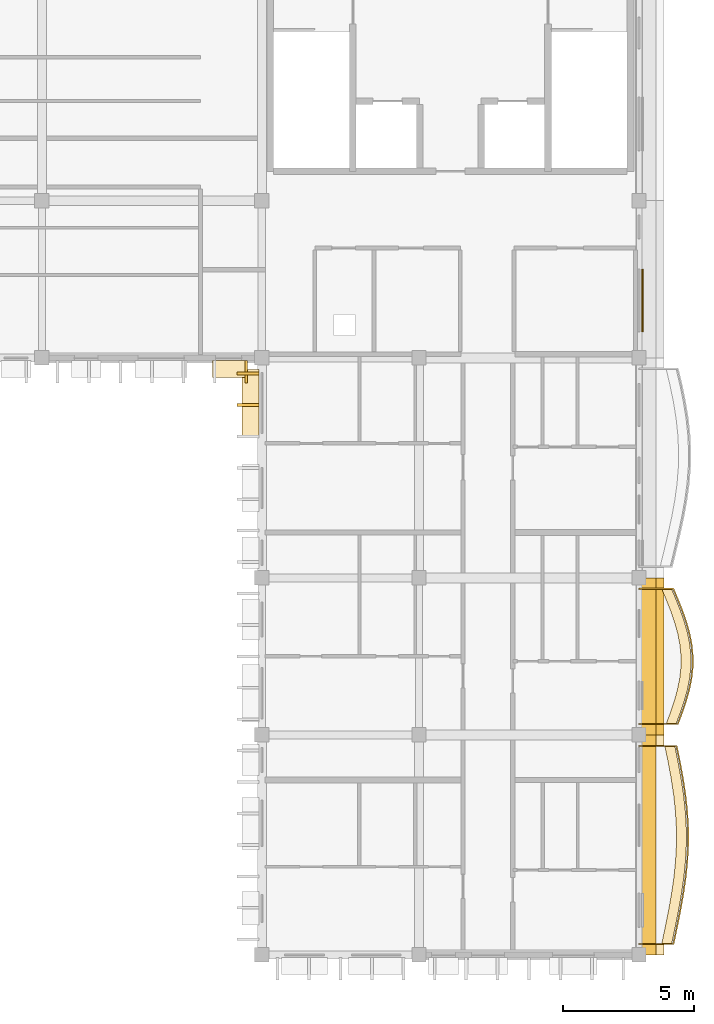
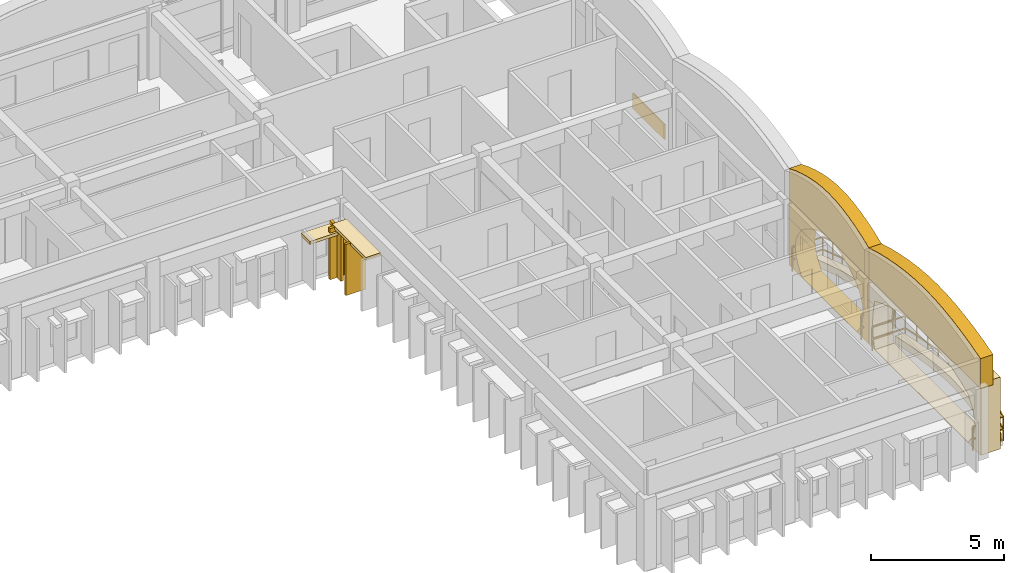
# One storey, part 26 of 28: 12 coverings, 2 railings.
"""IFC4 building model written with IfcOpenShell, lengths in metres."""

import ifcopenshell
import ifcopenshell.guid

model = None  # the IFC model being written
_history = None  # IfcOwnerHistory: only IFC2X3 demands one
_inside = {}  # id of a spatial element -> (the spatial element, [elements in it])
_under = {}  # id of a project, library or spatial element -> (it, [spatial elements below it])
_declared = {}  # id of a project -> (the project, [libraries it declares])
_typed = {}  # id of a type object -> (the type object, [elements of that type])
_made_of = {}  # id of a material, layer set ... -> (it, [elements and type objects made of it])


def new_model(schema):
    """Start an empty IFC model of exactly this schema.

    Asked for "IFC4X3", IfcOpenShell would pick the latest addendum, in which some entities
    have other attributes; the version numbers below select the first issue.
    IFC2X3 requires an IfcOwnerHistory on every rooted entity: one is made here for all.
    """
    global model, _history
    if schema == "IFC4X3":
        model = ifcopenshell.file(schema_version=(4, 3, 0, 0))
    else:
        model = ifcopenshell.file(schema=schema)
    _inside.clear()
    _under.clear()
    _declared.clear()
    _typed.clear()
    _made_of.clear()
    _history = None
    if model.schema == "IFC2X3":
        org = make("IfcOrganization", Name="unknown")
        user = make(
            "IfcPersonAndOrganization",
            ThePerson=make("IfcPerson", FamilyName="unknown"),
            TheOrganization=org,
        )
        app = make(
            "IfcApplication",
            ApplicationDeveloper=org,
            Version="unknown",
            ApplicationFullName="unknown",
            ApplicationIdentifier="unknown",
        )
        _history = make(
            "IfcOwnerHistory",
            OwningUser=user,
            OwningApplication=app,
            ChangeAction="ADDED",
            CreationDate=0,
        )
    return model


def make(cls, **values):
    """One entity of the class cls with the attributes given. An attribute that is None is left unset."""
    return model.create_entity(
        cls, **{name: value for name, value in values.items() if value is not None}
    )


def rooted(cls, **values):
    """An entity with a GlobalId (a new one), such as an element, a storey or a relation."""
    return make(cls, GlobalId=ifcopenshell.guid.new(), OwnerHistory=_history, **values)


def si_unit(unit_type, name, prefix=None):
    """IfcSIUnit, for example si_unit("LENGTHUNIT", "METRE", prefix="MILLI")."""
    return make("IfcSIUnit", UnitType=unit_type, Prefix=prefix, Name=name)


def assignment(units):
    """IfcUnitAssignment: the units of a project."""
    return None if units is None else make("IfcUnitAssignment", Units=units)


def point(xyz):
    """IfcCartesianPoint."""
    return None if xyz is None else make("IfcCartesianPoint", Coordinates=xyz)


def direction(xyz):
    """IfcDirection."""
    return None if xyz is None else make("IfcDirection", DirectionRatios=xyz)


def frame(location, z_axis=None, x_axis=None):
    """IfcAxis2Placement3D, a coordinate frame: its origin and axes. An axis left out is left unset."""
    return make(
        "IfcAxis2Placement3D",
        Location=point(location),
        Axis=direction(z_axis),
        RefDirection=direction(x_axis),
    )


def frame_2d(location, x_axis=None):
    """IfcAxis2Placement2D, a coordinate frame in the plane: its origin and x axis."""
    return make(
        "IfcAxis2Placement2D", Location=point(location), RefDirection=direction(x_axis)
    )


def origin():
    """The frame at (0, 0, 0) with its axes left unset."""
    return frame((0.0, 0.0, 0.0))


def origin_2d():
    """The frame at (0, 0) in the plane with its x axis left unset."""
    return frame_2d((0.0, 0.0))


def place(relative_to, where):
    """IfcLocalPlacement: puts the frame where relative to a parent placement (None: the world)."""
    return make(
        "IfcLocalPlacement", PlacementRelTo=relative_to, RelativePlacement=where
    )


def context(
    kind, dimensions, precision=None, world=None, true_north=None, identifier=None
):
    """IfcGeometricRepresentationContext, for example the 3D "Model" context."""
    return make(
        "IfcGeometricRepresentationContext",
        ContextIdentifier=identifier,
        ContextType=kind,
        CoordinateSpaceDimension=dimensions,
        Precision=precision,
        WorldCoordinateSystem=world,
        TrueNorth=true_north,
    )


def subcontext(parent, identifier, kind, view, scale=None):
    """IfcGeometricRepresentationSubContext, for example "Body" below "Model"."""
    return make(
        "IfcGeometricRepresentationSubContext",
        ContextIdentifier=identifier,
        ContextType=kind,
        ParentContext=parent,
        TargetScale=scale,
        TargetView=view,
    )


def project(units=None, contexts=None):
    """IfcProject with its units and contexts."""
    return rooted(
        "IfcProject",
        Name="project",
        RepresentationContexts=contexts,
        UnitsInContext=assignment(units),
    )


def spatial(cls, under=None, at=None, **own):
    """A site, building, storey or space (cls), placed at a placement, below another one or the project."""
    s = rooted(cls, ObjectPlacement=at, **own)
    if under is not None:
        _under.setdefault(under.id(), (under, []))[1].append(s)
    return s


def polyline(points):
    """IfcPolyline through the points."""
    return make("IfcPolyline", Points=[point(p) for p in points])


def profile(cls, at=None, kind="AREA", **sizes):
    """A parametric profile (cls). Its sizes go by their IFC names, for example OverallWidth=200.0."""
    return make(cls, ProfileType=kind, Position=at, **sizes)


def rectangle(**sizes):
    """IfcRectangleProfileDef."""
    return profile("IfcRectangleProfileDef", **sizes)


def outline(outer, holes=None, kind="AREA"):
    """IfcArbitraryClosedProfileDef: a profile drawn as a closed curve; with holes, ...WithVoids."""
    if holes is None:
        return make("IfcArbitraryClosedProfileDef", ProfileType=kind, OuterCurve=outer)
    return make(
        "IfcArbitraryProfileDefWithVoids",
        ProfileType=kind,
        OuterCurve=outer,
        InnerCurves=holes,
    )


def extrude(swept, where, along, depth):
    """IfcExtrudedAreaSolid: the profile swept, set in the frame where, extruded along a direction by depth."""
    return make(
        "IfcExtrudedAreaSolid",
        SweptArea=swept,
        Position=where,
        ExtrudedDirection=direction(along),
        Depth=depth,
    )


def shape(context_of_items, identifier, shape_type, items):
    """IfcShapeRepresentation: the items that make up one representation, for example the "Body"."""
    return make(
        "IfcShapeRepresentation",
        ContextOfItems=context_of_items,
        RepresentationIdentifier=identifier,
        RepresentationType=shape_type,
        Items=items,
    )


def material(Name=None, Category=None):
    """IfcMaterial."""
    return make("IfcMaterial", Name=Name, Category=Category)


def layer(
    of_material, thickness, ventilated=None, Name=None, Category=None, Priority=None
):
    """IfcMaterialLayer: one layer of a wall or slab, of a material (None: an air gap)."""
    return make(
        "IfcMaterialLayer",
        Material=of_material,
        LayerThickness=thickness,
        IsVentilated=ventilated,
        Name=Name,
        Category=Category,
        Priority=Priority,
    )


def layer_set(layers, Name=None):
    """IfcMaterialLayerSet."""
    return make("IfcMaterialLayerSet", MaterialLayers=layers, LayerSetName=Name)


def made_of(thing, what):
    """Note that an element or type object is made of a material, layer set ...; save() writes the relation."""
    if what is not None:
        _made_of.setdefault(what.id(), (what, []))[1].append(thing)
    return thing


def type_object(cls, material=None, **own):
    """A type object (cls), such as IfcWallType, which elements share."""
    return made_of(rooted(cls, **own), material)


def element(
    cls,
    number,
    at=None,
    inside=None,
    cuts=None,
    type_object=None,
    material=None,
    context=None,
    identifier="Body",
    shape_type=None,
    held_by="IfcProductDefinitionShape",
    body=None,
    shapes=None,
    **own,
):
    """One element of the class cls, such as IfcWall. Its Tag is "e" and its number.

    at: its placement. inside: the storey or other place that contains it. cuts: it is an
    opening in that element (IfcRelVoidsElement). A single representation is given by context,
    identifier, shape_type and body (its items); several are given by shapes. held_by: the class
    of the entity that holds the representations. save() writes the other relations.
    """
    e = rooted(cls, Tag="e%d" % number, ObjectPlacement=at, **own)
    if body is not None:
        shapes = [shape(context, identifier, shape_type, body)]
    if shapes is not None:
        e.Representation = make(held_by, Representations=shapes)
    if inside is not None:
        _inside.setdefault(inside.id(), (inside, []))[1].append(e)
    if cuts is not None:
        rooted(
            "IfcRelVoidsElement", RelatingBuildingElement=cuts, RelatedOpeningElement=e
        )
    if type_object is not None:
        _typed.setdefault(type_object.id(), (type_object, []))[1].append(e)
    return made_of(e, material)


def aggregate(whole, parts):
    """IfcRelAggregates: a whole, such as a stair, and the parts it consists of."""
    return rooted("IfcRelAggregates", RelatingObject=whole, RelatedObjects=parts)


def save(model, path):
    """Write the relations noted so far, then the file.

    IfcRelAggregates (storeys below a building ...), IfcRelContainedInSpatialStructure (elements
    in a storey), IfcRelDefinesByType, IfcRelAssociatesMaterial and IfcRelDeclares: one each for
    every whole, place, type object, material and project.
    """
    for whole, parts in _under.values():
        aggregate(whole, parts)
    for where, things in _inside.values():
        rooted(
            "IfcRelContainedInSpatialStructure",
            RelatedElements=things,
            RelatingStructure=where,
        )
    for kind, things in _typed.values():
        rooted("IfcRelDefinesByType", RelatedObjects=things, RelatingType=kind)
    for what, things in _made_of.values():
        rooted("IfcRelAssociatesMaterial", RelatedObjects=things, RelatingMaterial=what)
    for by, libraries in _declared.values():
        rooted("IfcRelDeclares", RelatingContext=by, RelatedDefinitions=libraries)
    model.write(path)


model = new_model("IFC4")

# Units and contexts
model_context = context("Model", 3, precision=1e-05, world=origin(), true_north=direction((0.0, 1.0)))
body_context = subcontext(model_context, "Body", "Model", "MODEL_VIEW")
ifc_project = project(units=[si_unit("LENGTHUNIT", "METRE"), si_unit("AREAUNIT", "SQUARE_METRE"), si_unit("VOLUMEUNIT", "CUBIC_METRE"), si_unit("PLANEANGLEUNIT", "RADIAN"), si_unit("MASSUNIT", "GRAM", prefix="KILO"), si_unit("THERMODYNAMICTEMPERATUREUNIT", "KELVIN")], contexts=[model_context])

# Site, building, storey
site_placement = place(None, origin())
site = spatial("IfcSite", under=ifc_project, at=site_placement, CompositionType="ELEMENT")
building_placement = place(site_placement, origin())
building = spatial("IfcBuilding", under=site, at=building_placement, Name="Thalorik Housing Commons", CompositionType="ELEMENT")
storey_placement = place(building_placement, frame((0.0, 0.0, 41.10009765625)))
storey = spatial("IfcBuildingStorey", under=building, at=storey_placement, Name="L12", CompositionType="ELEMENT", Elevation=41.10009765625)

# Coverings
ifc_material_1 = material(Name="Precast concrete C40/50", Category="concrete")
ifc_layer_1 = layer(ifc_material_1, 0.85009765625, Name="Precast concrete C40/50", Category="concrete")
ifc_layer_set_1 = layer_set([ifc_layer_1], Name="Precast concrete C40/50")
covering_type_1 = type_object("IfcCoveringType", Name="ARC-CLD-CUSH-850", PredefinedType="CLADDING", material=ifc_layer_set_1)
covering_1_placement = place(storey_placement, frame((167.327392578125, 90.60009765625, 0.0), z_axis=(0.0, 0.0, 1.0), x_axis=(0.0, 1.0, 0.0)))
element("IfcCovering", 1, at=covering_1_placement, inside=storey, type_object=covering_type_1, Name="L12 White Precast Curved Cushion Bay Frame 3395", PredefinedType="CLADDING", context=body_context, shape_type="SweptSolid", body=[
    extrude(outline(polyline([(-4.199951171875, 0.0), (4.199951171875, 0.0), (4.199951171875, 3.300048828125), (-4.199951171875, 3.300048828125), (-4.199951171875, 0.0)]), holes=[polyline([(3.77001953125, 0.02490234375), (3.86083984375, 0.394287109375), (3.915283203125, 0.76318359375), (3.933349609375, 1.132568359375), (3.915283203125, 1.501708984375), (3.86083984375, 1.870849609375), (3.77001953125, 2.239990234375), (3.185791015625, 2.4833984375), (2.601806640625, 2.6748046875), (2.017578125, 2.82958984375), (1.433349609375, 2.94482421875), (0.84912109375, 3.01611328125), (0.264892578125, 3.0400390625), (-0.319091796875, 3.01611328125), (-0.9033203125, 2.94482421875), (-1.487548828125, 2.82958984375), (-2.07177734375, 2.6748046875), (-2.65576171875, 2.4833984375), (-3.239990234375, 2.239990234375), (-3.523193359375, 1.870849609375), (-3.693359375, 1.501708984375), (-3.75, 1.132568359375), (-3.693359375, 0.76318359375), (-3.523193359375, 0.394287109375), (-3.239990234375, 0.02490234375), (3.77001953125, 0.02490234375)])]), frame((0.0, 0.425048828125, 0.0), z_axis=(0.0, -1.0, 0.0), x_axis=(1.0, 0.0, 0.0)), (0.0, 0.0, 1.0), 0.85009765625),
])
covering_2_placement = place(storey_placement, frame((167.327392578125, 97.800048828125, 0.0), z_axis=(0.0, 0.0, 1.0), x_axis=(0.0, 1.0, 0.0)))
element("IfcCovering", 2, at=covering_2_placement, inside=storey, type_object=covering_type_1, Name="L12 White Precast Curved Cushion Bay Frame 3397", PredefinedType="CLADDING", context=body_context, shape_type="SweptSolid", body=[
    extrude(outline(polyline([(-3.0, 0.0), (3.0, 0.0), (3.0, 3.300048828125), (-3.0, 3.300048828125), (-3.0, 0.0)]), holes=[polyline([(2.0400390625, 0.02490234375), (2.3232421875, 0.387451171875), (2.493408203125, 0.75), (2.550048828125, 1.112548828125), (2.493408203125, 1.47509765625), (2.3232421875, 1.83740234375), (2.0400390625, 2.199951171875), (1.6953125, 2.455810546875), (1.3505859375, 2.656494140625), (1.005615234375, 2.819091796875), (0.660888671875, 2.940185546875), (0.316162109375, 3.014892578125), (-0.028564453125, 3.0400390625), (-0.373291015625, 3.014892578125), (-0.718017578125, 2.940185546875), (-1.062744140625, 2.819091796875), (-1.407470703125, 2.656494140625), (-1.752197265625, 2.455810546875), (-2.096923828125, 2.199951171875), (-2.3486328125, 1.83740234375), (-2.499755859375, 1.47509765625), (-2.550048828125, 1.112548828125), (-2.499755859375, 0.75), (-2.3486328125, 0.387451171875), (-2.096923828125, 0.02490234375), (2.0400390625, 0.02490234375)])]), frame((0.0, 0.425048828125, 0.0), z_axis=(0.0, -1.0, 0.0), x_axis=(1.0, 0.0, 0.0)), (0.0, 0.0, 1.0), 0.85009765625),
])
ifc_layer_2 = layer(ifc_material_1, 0.85009765625, Name="Precast concrete C40/50", Category="concrete")
ifc_layer_set_2 = layer_set([ifc_layer_2], Name="Precast concrete C40/50")
covering_type_2 = type_object("IfcCoveringType", Name="ARC-CLD-FIN-850", PredefinedType="CLADDING", material=ifc_layer_set_2)
covering_3_placement = place(storey_placement, frame((151.800048828125, 108.672607421875, 0.0400390625), z_axis=(0.0, 0.0, 1.0), x_axis=(1.0, 0.0, 0.0)))
element("IfcCovering", 3, at=covering_3_placement, inside=storey, type_object=covering_type_2, Name="L12 Courtyard Precast Vertical Brise-Soleil Fin 3347", PredefinedType="CLADDING", context=body_context, shape_type="SweptSolid", body=[
    extrude(rectangle(XDim=0.110107421875, YDim=0.85009765625, at=origin_2d()), origin(), (0.0, 0.0, 1.0), 2.294921875),
])
for number, where, z_axis, x_axis, name in (
    (4, (151.87255859375, 108.60009765625, 0.0400390625), (0.0, 0.0, 1.0), (0.0, -1.0, 0.0), "L12 Courtyard Precast Vertical Brise-Soleil Fin 3351"),
    (5, (151.87255859375, 107.39990234375, 0.0400390625), (0.0, 0.0, 1.0), (0.0, -1.0, 0.0), "L12 Courtyard Precast Vertical Brise-Soleil Fin 3352"),
):
    element("IfcCovering", number, at=place(storey_placement, frame(where, z_axis=z_axis, x_axis=x_axis)), inside=storey, type_object=covering_type_2, Name=name, PredefinedType="CLADDING", context=body_context, shape_type="SweptSolid", body=[
        extrude(rectangle(XDim=0.110107421875, YDim=0.85009765625, at=origin_2d()), origin(), (0.0, 0.0, 1.0), 2.344970703125),
    ])
ifc_layer_3 = layer(ifc_material_1, 0.64990234375, Name="Precast concrete C40/50", Category="concrete")
ifc_layer_set_3 = layer_set([ifc_layer_3], Name="Precast concrete C40/50")
covering_type_3 = type_object("IfcCoveringType", Name="ARC-CLD-HOOD-650", PredefinedType="CLADDING", material=ifc_layer_set_3)
covering_4_placement = place(storey_placement, frame((151.1298828125, 108.7724609375, 2.0400390625), z_axis=(0.0, 0.0, 1.0), x_axis=(1.0, 0.0, 0.0)))
element("IfcCovering", 6, at=covering_4_placement, inside=storey, type_object=covering_type_3, Name="L12 Courtyard Precast Window Sun-Hood 3350", PredefinedType="CLADDING", context=body_context, shape_type="SweptSolid", body=[
    extrude(rectangle(XDim=1.239990234375, YDim=0.64990234375, at=origin_2d()), origin(), (0.0, 0.0, 1.0), 0.139892578125),
])
covering_5_placement = place(storey_placement, frame((151.972412109375, 107.472412109375, 2.27490234375), z_axis=(0.0, 0.0, 1.0), x_axis=(0.0, -1.0, 0.0)))
element("IfcCovering", 7, at=covering_5_placement, inside=storey, type_object=covering_type_3, Name="L12 Courtyard Precast Window Sun-Hood 3358", PredefinedType="CLADDING", context=body_context, shape_type="SweptSolid", body=[
    extrude(rectangle(XDim=2.56005859375, YDim=0.64990234375, at=origin_2d()), origin(), (0.0, 0.0, 1.0), 0.139892578125),
])
ifc_layer_4 = layer(ifc_material_1, 0.550048828125, Name="Precast concrete C40/50", Category="concrete")
ifc_layer_set_4 = layer_set([ifc_layer_4], Name="Precast concrete C40/50")
covering_type_4 = type_object("IfcCoveringType", Name="ARC-CLD-PAR-550", PredefinedType="CLADDING", material=ifc_layer_set_4)
covering_6_placement = place(storey_placement, frame((167.1650390625, 90.60009765625, 3.059814453125), z_axis=(0.0, 0.0, 1.0), x_axis=(0.0, 1.0, 0.0)))
element("IfcCovering", 8, at=covering_6_placement, inside=storey, type_object=covering_type_4, Name="L12 Block B Scalloped White Precast Parapet Crest 3411", PredefinedType="CLADDING", context=body_context, shape_type="SweptSolid", body=[
    extrude(outline(polyline([(-4.199951171875, 0.0), (4.199951171875, 0.0), (4.199951171875, 1.3798828125), (3.5, 1.58154296875), (2.800048828125, 1.744384765625), (2.10009765625, 1.877685546875), (1.39990234375, 1.977294921875), (0.699951171875, 2.0390625), (0.0, 2.06005859375), (-0.699951171875, 2.0390625), (-1.39990234375, 1.977294921875), (-2.10009765625, 1.877685546875), (-2.800048828125, 1.744384765625), (-3.5, 1.58154296875), (-4.199951171875, 1.3798828125), (-4.199951171875, 0.0)])), frame((0.0, 0.27490234375, 0.0), z_axis=(0.0, -1.0, 0.0), x_axis=(1.0, 0.0, 0.0)), (0.0, 0.0, 1.0), 0.550048828125),
])
covering_7_placement = place(storey_placement, frame((167.1650390625, 97.800048828125, 3.059814453125), z_axis=(0.0, 0.0, 1.0), x_axis=(0.0, 1.0, 0.0)))
element("IfcCovering", 9, at=covering_7_placement, inside=storey, type_object=covering_type_4, Name="L12 Block B Scalloped White Precast Parapet Crest 3412", PredefinedType="CLADDING", context=body_context, shape_type="SweptSolid", body=[
    extrude(outline(polyline([(-3.0, 0.0), (3.0, 0.0), (3.0, 1.3798828125), (2.5, 1.58154296875), (2.0, 1.744384765625), (1.5, 1.877685546875), (1.0, 1.977294921875), (0.5, 2.0390625), (0.0, 2.06005859375), (-0.5, 2.0390625), (-1.0, 1.977294921875), (-1.5, 1.877685546875), (-2.0, 1.744384765625), (-2.5, 1.58154296875), (-3.0, 1.3798828125), (-3.0, 0.0)])), frame((0.0, 0.27490234375, 0.0), z_axis=(0.0, -1.0, 0.0), x_axis=(1.0, 0.0, 0.0)), (0.0, 0.0, 1.0), 0.550048828125),
])
ifc_material_2 = material(Name="Terracotta red mineral fibre-cement panel", Category="masonry")
ifc_layer_5 = layer(ifc_material_2, 0.054931640625, Name="Terracotta red mineral fibre-cement panel", Category="masonry")
ifc_layer_set_5 = layer_set([ifc_layer_5], Name="Terracotta red mineral fibre-cement panel")
covering_type_5 = type_object("IfcCoveringType", Name="ARC-CLD-RED-55", PredefinedType="CLADDING", material=ifc_layer_set_5)
covering_8_placement = place(storey_placement, frame((166.93505859375, 111.39501953125, 0.0498046875), z_axis=(0.0, 0.0, 1.0), x_axis=(0.0, 1.0, 0.0)))
element("IfcCovering", 10, at=covering_8_placement, inside=storey, type_object=covering_type_5, Name="L12 De Stijl Recessed Window Spandrel 3267", PredefinedType="CLADDING", context=body_context, shape_type="SweptSolid", body=[
    extrude(rectangle(XDim=2.3798828125, YDim=0.054931640625, at=origin_2d()), origin(), (0.0, 0.0, 1.0), 0.699951171875),
])
ifc_material_3 = material(Name="Planted vegetated substrate and terracotta trough", Category="masonry")
ifc_layer_6 = layer(ifc_material_3, 0.340087890625, Name="Planted vegetated substrate and terracotta trough", Category="masonry")
ifc_layer_set_6 = layer_set([ifc_layer_6], Name="Planted vegetated substrate and terracotta trough")
covering_type_6 = type_object("IfcCoveringType", Name="ARC-COV-PLANTER", PredefinedType="USERDEFINED", material=ifc_layer_set_6)
covering_9_placement = place(storey_placement, origin())
element("IfcCovering", 11, at=covering_9_placement, inside=storey, type_object=covering_type_6, Name="L12 Balcony Slab-Edge Planted Trough 5564", ObjectType="PLANTER", PredefinedType="USERDEFINED", context=body_context, shape_type="SweptSolid", body=[
    extrude(outline(polyline([(168.0478515625, 86.820068359375), (168.178955078125, 87.449951171875), (168.30517578125, 88.080078125), (168.418212890625, 88.7099609375), (168.510009765625, 89.340087890625), (168.57470703125, 89.969970703125), (168.60791015625, 90.60009765625), (168.607177734375, 91.22998046875), (168.572265625, 91.860107421875), (168.505615234375, 92.489990234375), (168.4111328125, 93.1201171875), (168.295654296875, 93.75), (168.16650390625, 94.3798828125), (167.786376953125, 94.3798828125), (167.91552734375, 93.75), (168.03125, 93.1201171875), (168.12548828125, 92.489990234375), (168.192138671875, 91.860107421875), (168.22705078125, 91.22998046875), (168.227783203125, 90.60009765625), (168.19482421875, 89.969970703125), (168.1298828125, 89.340087890625), (168.0380859375, 88.7099609375), (167.92529296875, 88.080078125), (167.798828125, 87.449951171875), (167.667724609375, 86.820068359375), (168.0478515625, 86.820068359375)])), origin(), (0.0, 0.0, 1.0), 0.33984375),
])
covering_10_placement = place(storey_placement, origin())
element("IfcCovering", 12, at=covering_10_placement, inside=storey, type_object=covering_type_6, Name="L12 Balcony Slab-Edge Planted Trough 5565", ObjectType="PLANTER", PredefinedType="USERDEFINED", context=body_context, shape_type="SweptSolid", body=[
    extrude(outline(polyline([(168.21533203125, 95.219970703125), (168.37646484375, 95.64990234375), (168.5224609375, 96.080078125), (168.643310546875, 96.510009765625), (168.73095703125, 96.93994140625), (168.77880859375, 97.3701171875), (168.783447265625, 97.800048828125), (168.74365234375, 98.22998046875), (168.661865234375, 98.659912109375), (168.54248046875, 99.090087890625), (168.3935546875, 99.52001953125), (168.22412109375, 99.949951171875), (168.044921875, 100.3798828125), (167.6650390625, 100.3798828125), (167.843994140625, 99.949951171875), (168.013671875, 99.52001953125), (168.16259765625, 99.090087890625), (168.28173828125, 98.659912109375), (168.36376953125, 98.22998046875), (168.4033203125, 97.800048828125), (168.39892578125, 97.3701171875), (168.35107421875, 96.93994140625), (168.263427734375, 96.510009765625), (168.142333984375, 96.080078125), (167.996337890625, 95.64990234375), (167.83544921875, 95.219970703125), (168.21533203125, 95.219970703125)])), origin(), (0.0, 0.0, 1.0), 0.33984375),
])

# Railings
ifc_material_4 = material(Name="Steel S355", Category="steel")
railing_type_1 = type_object("IfcRailingType", Name="ARC-RL-BAL-112", PredefinedType="BALUSTRADE", material=ifc_material_4)
railing_1_placement = place(storey_placement, frame((166.800048828125, 86.820068359375, 0.0)))
element("IfcRailing", 13, at=railing_1_placement, inside=storey, type_object=railing_type_1, Name="L12 Cushion Balcony Guardrail 248", PredefinedType="BALUSTRADE", context=body_context, shape_type="SweptSolid", body=[
    extrude(rectangle(XDim=0.050048828125, YDim=0.050048828125, at=origin_2d()), frame((0.0, 0.0, 1.09521484375), z_axis=(1.0, 0.0, 0.0), x_axis=(0.0, 1.0, 0.0)), (0.0, 0.0, 1.0), 1.31787109375),
    extrude(rectangle(XDim=0.050048828125, YDim=0.050048828125, at=origin_2d()), frame((0.0, 0.0, 0.53515625), z_axis=(1.0, 0.0, 0.0), x_axis=(0.0, 1.0, 0.0)), (0.0, 0.0, 1.0), 1.31787109375),
    extrude(rectangle(XDim=0.050048828125, YDim=0.050048828125, at=origin_2d()), frame((1.31787109375, 0.0, 1.09521484375), z_axis=(0.203408660683, 0.979093926423, 0.0), x_axis=(-0.979093926423, 0.203408660683, 0.0)), (0.0, 0.0, 1.0), 0.643310546875),
    extrude(rectangle(XDim=0.050048828125, YDim=0.050048828125, at=origin_2d()), frame((1.31787109375, 0.0, 0.53515625), z_axis=(0.203408660683, 0.979093926423, 0.0), x_axis=(-0.979093926423, 0.203408660683, 0.0)), (0.0, 0.0, 1.0), 0.643310546875),
    extrude(rectangle(XDim=0.050048828125, YDim=0.050048828125, at=origin_2d()), frame((1.44873046875, 0.6298828125, 1.09521484375), z_axis=(0.196773561375, 0.980448961213, 0.0), x_axis=(-0.980448961213, 0.196773561375, 0.0)), (0.0, 0.0, 1.0), 0.642578125),
    extrude(rectangle(XDim=0.050048828125, YDim=0.050048828125, at=origin_2d()), frame((1.44873046875, 0.6298828125, 0.53515625), z_axis=(0.196773561375, 0.980448961213, 0.0), x_axis=(-0.980448961213, 0.196773561375, 0.0)), (0.0, 0.0, 1.0), 0.642578125),
    extrude(rectangle(XDim=0.050048828125, YDim=0.050048828125, at=origin_2d()), frame((1.5751953125, 1.260009765625, 1.09521484375), z_axis=(0.176265995433, 0.9843425719, 0.0), x_axis=(-0.9843425719, 0.176265995433, 0.0)), (0.0, 0.0, 1.0), 0.639892578125),
    extrude(rectangle(XDim=0.050048828125, YDim=0.050048828125, at=origin_2d()), frame((1.5751953125, 1.260009765625, 0.53515625), z_axis=(0.176265995433, 0.9843425719, 0.0), x_axis=(-0.9843425719, 0.176265995433, 0.0)), (0.0, 0.0, 1.0), 0.639892578125),
    extrude(rectangle(XDim=0.050048828125, YDim=0.050048828125, at=origin_2d()), frame((1.68798828125, 1.889892578125, 1.09521484375), z_axis=(0.144533690325, 0.98949987992, 0.0), x_axis=(-0.98949987992, 0.144533690325, 0.0)), (0.0, 0.0, 1.0), 0.63671875),
    extrude(rectangle(XDim=0.050048828125, YDim=0.050048828125, at=origin_2d()), frame((1.68798828125, 1.889892578125, 0.53515625), z_axis=(0.144533690325, 0.98949987992, 0.0), x_axis=(-0.98949987992, 0.144533690325, 0.0)), (0.0, 0.0, 1.0), 0.63671875),
    extrude(rectangle(XDim=0.050048828125, YDim=0.050048828125, at=origin_2d()), frame((1.780029296875, 2.52001953125, 1.09521484375), z_axis=(0.102175616173, 0.994766376321, 0.0), x_axis=(-0.994766376321, 0.102175616173, 0.0)), (0.0, 0.0, 1.0), 0.63330078125),
    extrude(rectangle(XDim=0.050048828125, YDim=0.050048828125, at=origin_2d()), frame((1.780029296875, 2.52001953125, 0.53515625), z_axis=(0.102175616173, 0.994766376321, 0.0), x_axis=(-0.994766376321, 0.102175616173, 0.0)), (0.0, 0.0, 1.0), 0.63330078125),
    extrude(rectangle(XDim=0.050048828125, YDim=0.050048828125, at=origin_2d()), frame((1.8447265625, 3.14990234375, 1.09521484375), z_axis=(0.052619755312, 0.998614621038, 0.0), x_axis=(-0.998614621038, 0.052619755312, 0.0)), (0.0, 0.0, 1.0), 0.631103515625),
    extrude(rectangle(XDim=0.050048828125, YDim=0.050048828125, at=origin_2d()), frame((1.8447265625, 3.14990234375, 0.53515625), z_axis=(0.052619755312, 0.998614621038, 0.0), x_axis=(-0.998614621038, 0.052619755312, 0.0)), (0.0, 0.0, 1.0), 0.631103515625),
    extrude(rectangle(XDim=0.050048828125, YDim=0.050048828125, at=origin_2d()), frame((1.8779296875, 3.780029296875, 1.09521484375), z_axis=(-0.001550385734, 0.999998798151, 0.0), x_axis=(-0.999998798151, -0.001550385734, 0.0)), (0.0, 0.0, 1.0), 0.6298828125),
    extrude(rectangle(XDim=0.050048828125, YDim=0.050048828125, at=origin_2d()), frame((1.8779296875, 3.780029296875, 0.53515625), z_axis=(-0.001550385734, 0.999998798151, 0.0), x_axis=(-0.999998798151, -0.001550385734, 0.0)), (0.0, 0.0, 1.0), 0.6298828125),
    extrude(rectangle(XDim=0.050048828125, YDim=0.050048828125, at=origin_2d()), frame((1.876953125, 4.409912109375, 1.09521484375), z_axis=(-0.055320038902, 0.998468674169, 0.0), x_axis=(-0.998468674169, -0.055320038902, 0.0)), (0.0, 0.0, 1.0), 0.631103515625),
    extrude(rectangle(XDim=0.050048828125, YDim=0.050048828125, at=origin_2d()), frame((1.876953125, 4.409912109375, 0.53515625), z_axis=(-0.055320038902, 0.998468674169, 0.0), x_axis=(-0.998468674169, -0.055320038902, 0.0)), (0.0, 0.0, 1.0), 0.631103515625),
    extrude(rectangle(XDim=0.050048828125, YDim=0.050048828125, at=origin_2d()), frame((1.842041015625, 5.0400390625, 1.09521484375), z_axis=(-0.105226504112, 0.994448280622, 0.0), x_axis=(-0.994448280622, -0.105226504112, 0.0)), (0.0, 0.0, 1.0), 0.63330078125),
    extrude(rectangle(XDim=0.050048828125, YDim=0.050048828125, at=origin_2d()), frame((1.842041015625, 5.0400390625, 0.53515625), z_axis=(-0.105226504112, 0.994448280622, 0.0), x_axis=(-0.994448280622, -0.105226504112, 0.0)), (0.0, 0.0, 1.0), 0.63330078125),
    extrude(rectangle(XDim=0.050048828125, YDim=0.050048828125, at=origin_2d()), frame((1.775390625, 5.669921875, 1.09521484375), z_axis=(-0.147909472647, 0.989000903893, 0.0), x_axis=(-0.989000903893, -0.147909472647, 0.0)), (0.0, 0.0, 1.0), 0.63720703125),
    extrude(rectangle(XDim=0.050048828125, YDim=0.050048828125, at=origin_2d()), frame((1.775390625, 5.669921875, 0.53515625), z_axis=(-0.147909472647, 0.989000903893, 0.0), x_axis=(-0.989000903893, -0.147909472647, 0.0)), (0.0, 0.0, 1.0), 0.63720703125),
    extrude(rectangle(XDim=0.050048828125, YDim=0.050048828125, at=origin_2d()), frame((1.68115234375, 6.300048828125, 1.09521484375), z_axis=(-0.180696676337, 0.9835388712, 0.0), x_axis=(-0.9835388712, -0.180696676337, 0.0)), (0.0, 0.0, 1.0), 0.640380859375),
    extrude(rectangle(XDim=0.050048828125, YDim=0.050048828125, at=origin_2d()), frame((1.68115234375, 6.300048828125, 0.53515625), z_axis=(-0.180696676337, 0.9835388712, 0.0), x_axis=(-0.9835388712, -0.180696676337, 0.0)), (0.0, 0.0, 1.0), 0.640380859375),
    extrude(rectangle(XDim=0.050048828125, YDim=0.050048828125, at=origin_2d()), frame((1.5654296875, 6.929931640625, 1.09521484375), z_axis=(-0.200860058517, 0.979619945128, 0.0), x_axis=(-0.979619945128, -0.200860058517, 0.0)), (0.0, 0.0, 1.0), 0.64306640625),
    extrude(rectangle(XDim=0.050048828125, YDim=0.050048828125, at=origin_2d()), frame((1.5654296875, 6.929931640625, 0.53515625), z_axis=(-0.200860058517, 0.979619945128, 0.0), x_axis=(-0.979619945128, -0.200860058517, 0.0)), (0.0, 0.0, 1.0), 0.64306640625),
    extrude(rectangle(XDim=0.050048828125, YDim=0.050048828125, at=origin_2d()), frame((1.436279296875, 7.559814453125, 1.09521484375), z_axis=(-1.0, 0.0, 0.0), x_axis=(0.0, -1.0, 0.0)), (0.0, 0.0, 1.0), 1.436279296875),
    extrude(rectangle(XDim=0.050048828125, YDim=0.050048828125, at=origin_2d()), frame((1.436279296875, 7.559814453125, 0.53515625), z_axis=(-1.0, 0.0, 0.0), x_axis=(0.0, -1.0, 0.0)), (0.0, 0.0, 1.0), 1.436279296875),
    extrude(rectangle(XDim=0.0419921875, YDim=0.0419921875, at=origin_2d()), origin(), (0.0, 0.0, 1.0), 1.070068359375),
    extrude(rectangle(XDim=0.0419921875, YDim=0.0419921875, at=origin_2d()), frame((1.31787109375, 0.0, 0.0)), (0.0, 0.0, 1.0), 1.070068359375),
    extrude(rectangle(XDim=0.0419921875, YDim=0.0419921875, at=origin_2d()), frame((1.44873046875, 0.6298828125, 0.0)), (0.0, 0.0, 1.0), 1.070068359375),
    extrude(rectangle(XDim=0.0419921875, YDim=0.0419921875, at=origin_2d()), frame((1.5751953125, 1.260009765625, 0.0)), (0.0, 0.0, 1.0), 1.070068359375),
    extrude(rectangle(XDim=0.0419921875, YDim=0.0419921875, at=origin_2d()), frame((1.68798828125, 1.889892578125, 0.0)), (0.0, 0.0, 1.0), 1.070068359375),
    extrude(rectangle(XDim=0.0419921875, YDim=0.0419921875, at=origin_2d()), frame((1.780029296875, 2.52001953125, 0.0)), (0.0, 0.0, 1.0), 1.070068359375),
    extrude(rectangle(XDim=0.0419921875, YDim=0.0419921875, at=origin_2d()), frame((1.8447265625, 3.14990234375, 0.0)), (0.0, 0.0, 1.0), 1.070068359375),
    extrude(rectangle(XDim=0.0419921875, YDim=0.0419921875, at=origin_2d()), frame((1.8779296875, 3.780029296875, 0.0)), (0.0, 0.0, 1.0), 1.070068359375),
    extrude(rectangle(XDim=0.0419921875, YDim=0.0419921875, at=origin_2d()), frame((1.876953125, 4.409912109375, 0.0)), (0.0, 0.0, 1.0), 1.070068359375),
    extrude(rectangle(XDim=0.0419921875, YDim=0.0419921875, at=origin_2d()), frame((1.842041015625, 5.0400390625, 0.0)), (0.0, 0.0, 1.0), 1.070068359375),
    extrude(rectangle(XDim=0.0419921875, YDim=0.0419921875, at=origin_2d()), frame((1.775390625, 5.669921875, 0.0)), (0.0, 0.0, 1.0), 1.070068359375),
    extrude(rectangle(XDim=0.0419921875, YDim=0.0419921875, at=origin_2d()), frame((1.68115234375, 6.300048828125, 0.0)), (0.0, 0.0, 1.0), 1.070068359375),
    extrude(rectangle(XDim=0.0419921875, YDim=0.0419921875, at=origin_2d()), frame((1.5654296875, 6.929931640625, 0.0)), (0.0, 0.0, 1.0), 1.070068359375),
    extrude(rectangle(XDim=0.0419921875, YDim=0.0419921875, at=origin_2d()), frame((1.436279296875, 7.559814453125, 0.0)), (0.0, 0.0, 1.0), 1.070068359375),
    extrude(rectangle(XDim=0.0419921875, YDim=0.0419921875, at=origin_2d()), frame((0.0, 7.559814453125, 0.0)), (0.0, 0.0, 1.0), 1.070068359375),
])
railing_type_2 = type_object("IfcRailingType", Name="ARC-RL-BAL-115", PredefinedType="BALUSTRADE", material=ifc_material_4)
railing_2_placement = place(storey_placement, frame((166.800048828125, 95.219970703125, 0.0)))
element("IfcRailing", 14, at=railing_2_placement, inside=storey, type_object=railing_type_2, Name="L12 Cushion Balcony Guardrail 249", PredefinedType="BALUSTRADE", context=body_context, shape_type="SweptSolid", body=[
    extrude(rectangle(XDim=0.050048828125, YDim=0.050048828125, at=origin_2d()), frame((0.0, 0.0, 1.125), z_axis=(1.0, 0.0, 0.0), x_axis=(0.0, 1.0, 0.0)), (0.0, 0.0, 1.0), 1.4853515625),
    extrude(rectangle(XDim=0.050048828125, YDim=0.050048828125, at=origin_2d()), frame((0.0, 0.0, 0.5498046875), z_axis=(1.0, 0.0, 0.0), x_axis=(0.0, 1.0, 0.0)), (0.0, 0.0, 1.0), 1.4853515625),
    extrude(rectangle(XDim=0.050048828125, YDim=0.050048828125, at=origin_2d()), frame((1.4853515625, 0.0, 1.125), z_axis=(0.350482237676, 0.936569378676, 0.0), x_axis=(-0.936569378676, 0.350482237676, 0.0)), (0.0, 0.0, 1.0), 0.458984375),
    extrude(rectangle(XDim=0.050048828125, YDim=0.050048828125, at=origin_2d()), frame((1.4853515625, 0.0, 0.5498046875), z_axis=(0.350482237676, 0.936569378676, 0.0), x_axis=(-0.936569378676, 0.350482237676, 0.0)), (0.0, 0.0, 1.0), 0.458984375),
    extrude(rectangle(XDim=0.050048828125, YDim=0.050048828125, at=origin_2d()), frame((1.646240234375, 0.429931640625, 1.125), z_axis=(0.321382405794, 0.946949496671, 0.0), x_axis=(-0.946949496671, 0.321382405794, 0.0)), (0.0, 0.0, 1.0), 0.454345703125),
    extrude(rectangle(XDim=0.050048828125, YDim=0.050048828125, at=origin_2d()), frame((1.646240234375, 0.429931640625, 0.5498046875), z_axis=(0.321382405794, 0.946949496671, 0.0), x_axis=(-0.946949496671, 0.321382405794, 0.0)), (0.0, 0.0, 1.0), 0.454345703125),
    extrude(rectangle(XDim=0.050048828125, YDim=0.050048828125, at=origin_2d()), frame((1.792236328125, 0.860107421875, 1.125), z_axis=(0.271109622441, 0.962548478062, 0.0), x_axis=(-0.962548478062, 0.271109622441, 0.0)), (0.0, 0.0, 1.0), 0.44677734375),
    extrude(rectangle(XDim=0.050048828125, YDim=0.050048828125, at=origin_2d()), frame((1.792236328125, 0.860107421875, 0.5498046875), z_axis=(0.271109622441, 0.962548478062, 0.0), x_axis=(-0.962548478062, 0.271109622441, 0.0)), (0.0, 0.0, 1.0), 0.44677734375),
    extrude(rectangle(XDim=0.050048828125, YDim=0.050048828125, at=origin_2d()), frame((1.913330078125, 1.2900390625, 1.125), z_axis=(0.19975288154, 0.979846307498, 0.0), x_axis=(-0.979846307498, 0.19975288154, 0.0)), (0.0, 0.0, 1.0), 0.438720703125),
    extrude(rectangle(XDim=0.050048828125, YDim=0.050048828125, at=origin_2d()), frame((1.913330078125, 1.2900390625, 0.5498046875), z_axis=(0.19975288154, 0.979846307498, 0.0), x_axis=(-0.979846307498, 0.19975288154, 0.0)), (0.0, 0.0, 1.0), 0.438720703125),
    extrude(rectangle(XDim=0.050048828125, YDim=0.050048828125, at=origin_2d()), frame((2.0009765625, 1.719970703125, 1.125), z_axis=(0.110555342799, 0.993869969452, 0.0), x_axis=(-0.993869969452, 0.110555342799, 0.0)), (0.0, 0.0, 1.0), 0.432861328125),
    extrude(rectangle(XDim=0.050048828125, YDim=0.050048828125, at=origin_2d()), frame((2.0009765625, 1.719970703125, 0.5498046875), z_axis=(0.110555342799, 0.993869969452, 0.0), x_axis=(-0.993869969452, 0.110555342799, 0.0)), (0.0, 0.0, 1.0), 0.432861328125),
    extrude(rectangle(XDim=0.050048828125, YDim=0.050048828125, at=origin_2d()), frame((2.048828125, 2.150146484375, 1.125), z_axis=(0.010788696312, 0.999941800322, 0.0), x_axis=(-0.999941800322, 0.010788696312, 0.0)), (0.0, 0.0, 1.0), 0.429931640625),
    extrude(rectangle(XDim=0.050048828125, YDim=0.050048828125, at=origin_2d()), frame((2.048828125, 2.150146484375, 0.5498046875), z_axis=(0.010788696312, 0.999941800322, 0.0), x_axis=(-0.999941800322, 0.010788696312, 0.0)), (0.0, 0.0, 1.0), 0.429931640625),
    extrude(rectangle(XDim=0.050048828125, YDim=0.050048828125, at=origin_2d()), frame((2.053466796875, 2.580078125, 1.125), z_axis=(-0.092167064095, 0.995743557497, 0.0), x_axis=(-0.995743557497, -0.092167064095, 0.0)), (0.0, 0.0, 1.0), 0.431884765625),
    extrude(rectangle(XDim=0.050048828125, YDim=0.050048828125, at=origin_2d()), frame((2.053466796875, 2.580078125, 0.5498046875), z_axis=(-0.092167064095, 0.995743557497, 0.0), x_axis=(-0.995743557497, -0.092167064095, 0.0)), (0.0, 0.0, 1.0), 0.431884765625),
    extrude(rectangle(XDim=0.050048828125, YDim=0.050048828125, at=origin_2d()), frame((2.013671875, 3.010009765625, 1.125), z_axis=(-0.18741968025, 0.98227993131, 0.0), x_axis=(-0.98227993131, -0.18741968025, 0.0)), (0.0, 0.0, 1.0), 0.437744140625),
    extrude(rectangle(XDim=0.050048828125, YDim=0.050048828125, at=origin_2d()), frame((2.013671875, 3.010009765625, 0.5498046875), z_axis=(-0.18741968025, 0.98227993131, 0.0), x_axis=(-0.98227993131, -0.18741968025, 0.0)), (0.0, 0.0, 1.0), 0.437744140625),
    extrude(rectangle(XDim=0.050048828125, YDim=0.050048828125, at=origin_2d()), frame((1.931640625, 3.43994140625, 1.125), z_axis=(-0.26691034385, 0.963721364475, 0.0), x_axis=(-0.963721364475, -0.26691034385, 0.0)), (0.0, 0.0, 1.0), 0.4462890625),
    extrude(rectangle(XDim=0.050048828125, YDim=0.050048828125, at=origin_2d()), frame((1.931640625, 3.43994140625, 0.5498046875), z_axis=(-0.26691034385, 0.963721364475, 0.0), x_axis=(-0.963721364475, -0.26691034385, 0.0)), (0.0, 0.0, 1.0), 0.4462890625),
    extrude(rectangle(XDim=0.050048828125, YDim=0.050048828125, at=origin_2d()), frame((1.8125, 3.8701171875, 1.125), z_axis=(-0.327313279786, 0.944915878201, 0.0), x_axis=(-0.944915878201, -0.327313279786, 0.0)), (0.0, 0.0, 1.0), 0.455078125),
    extrude(rectangle(XDim=0.050048828125, YDim=0.050048828125, at=origin_2d()), frame((1.8125, 3.8701171875, 0.5498046875), z_axis=(-0.327313279786, 0.944915878201, 0.0), x_axis=(-0.944915878201, -0.327313279786, 0.0)), (0.0, 0.0, 1.0), 0.455078125),
    extrude(rectangle(XDim=0.050048828125, YDim=0.050048828125, at=origin_2d()), frame((1.66357421875, 4.300048828125, 1.125), z_axis=(-0.366649244, 0.930359248825, 0.0), x_axis=(-0.930359248825, -0.366649244, 0.0)), (0.0, 0.0, 1.0), 0.462158203125),
    extrude(rectangle(XDim=0.050048828125, YDim=0.050048828125, at=origin_2d()), frame((1.66357421875, 4.300048828125, 0.5498046875), z_axis=(-0.366649244, 0.930359248825, 0.0), x_axis=(-0.930359248825, -0.366649244, 0.0)), (0.0, 0.0, 1.0), 0.462158203125),
    extrude(rectangle(XDim=0.050048828125, YDim=0.050048828125, at=origin_2d()), frame((1.494140625, 4.72998046875, 1.125), z_axis=(-0.384727035328, 0.923030394022, 0.0), x_axis=(-0.923030394022, -0.384727035328, 0.0)), (0.0, 0.0, 1.0), 0.4658203125),
    extrude(rectangle(XDim=0.050048828125, YDim=0.050048828125, at=origin_2d()), frame((1.494140625, 4.72998046875, 0.5498046875), z_axis=(-0.384727035328, 0.923030394022, 0.0), x_axis=(-0.923030394022, -0.384727035328, 0.0)), (0.0, 0.0, 1.0), 0.4658203125),
    extrude(rectangle(XDim=0.050048828125, YDim=0.050048828125, at=origin_2d()), frame((1.31494140625, 5.159912109375, 1.125), z_axis=(-1.0, 0.0, 0.0), x_axis=(0.0, -1.0, 0.0)), (0.0, 0.0, 1.0), 1.31494140625),
    extrude(rectangle(XDim=0.050048828125, YDim=0.050048828125, at=origin_2d()), frame((1.31494140625, 5.159912109375, 0.5498046875), z_axis=(-1.0, 0.0, 0.0), x_axis=(0.0, -1.0, 0.0)), (0.0, 0.0, 1.0), 1.31494140625),
    extrude(rectangle(XDim=0.0419921875, YDim=0.0419921875, at=origin_2d()), origin(), (0.0, 0.0, 1.0), 1.099853515625),
    extrude(rectangle(XDim=0.0419921875, YDim=0.0419921875, at=origin_2d()), frame((1.4853515625, 0.0, 0.0)), (0.0, 0.0, 1.0), 1.099853515625),
    extrude(rectangle(XDim=0.0419921875, YDim=0.0419921875, at=origin_2d()), frame((1.646240234375, 0.429931640625, 0.0)), (0.0, 0.0, 1.0), 1.099853515625),
    extrude(rectangle(XDim=0.0419921875, YDim=0.0419921875, at=origin_2d()), frame((1.792236328125, 0.860107421875, 0.0)), (0.0, 0.0, 1.0), 1.099853515625),
    extrude(rectangle(XDim=0.0419921875, YDim=0.0419921875, at=origin_2d()), frame((1.913330078125, 1.2900390625, 0.0)), (0.0, 0.0, 1.0), 1.099853515625),
    extrude(rectangle(XDim=0.0419921875, YDim=0.0419921875, at=origin_2d()), frame((2.0009765625, 1.719970703125, 0.0)), (0.0, 0.0, 1.0), 1.099853515625),
    extrude(rectangle(XDim=0.0419921875, YDim=0.0419921875, at=origin_2d()), frame((2.048828125, 2.150146484375, 0.0)), (0.0, 0.0, 1.0), 1.099853515625),
    extrude(rectangle(XDim=0.0419921875, YDim=0.0419921875, at=origin_2d()), frame((2.053466796875, 2.580078125, 0.0)), (0.0, 0.0, 1.0), 1.099853515625),
    extrude(rectangle(XDim=0.0419921875, YDim=0.0419921875, at=origin_2d()), frame((2.013671875, 3.010009765625, 0.0)), (0.0, 0.0, 1.0), 1.099853515625),
    extrude(rectangle(XDim=0.0419921875, YDim=0.0419921875, at=origin_2d()), frame((1.931640625, 3.43994140625, 0.0)), (0.0, 0.0, 1.0), 1.099853515625),
    extrude(rectangle(XDim=0.0419921875, YDim=0.0419921875, at=origin_2d()), frame((1.8125, 3.8701171875, 0.0)), (0.0, 0.0, 1.0), 1.099853515625),
    extrude(rectangle(XDim=0.0419921875, YDim=0.0419921875, at=origin_2d()), frame((1.66357421875, 4.300048828125, 0.0)), (0.0, 0.0, 1.0), 1.099853515625),
    extrude(rectangle(XDim=0.0419921875, YDim=0.0419921875, at=origin_2d()), frame((1.494140625, 4.72998046875, 0.0)), (0.0, 0.0, 1.0), 1.099853515625),
    extrude(rectangle(XDim=0.0419921875, YDim=0.0419921875, at=origin_2d()), frame((1.31494140625, 5.159912109375, 0.0)), (0.0, 0.0, 1.0), 1.099853515625),
    extrude(rectangle(XDim=0.0419921875, YDim=0.0419921875, at=origin_2d()), frame((0.0, 5.159912109375, 0.0)), (0.0, 0.0, 1.0), 1.099853515625),
])

save(model, "model.ifc")
